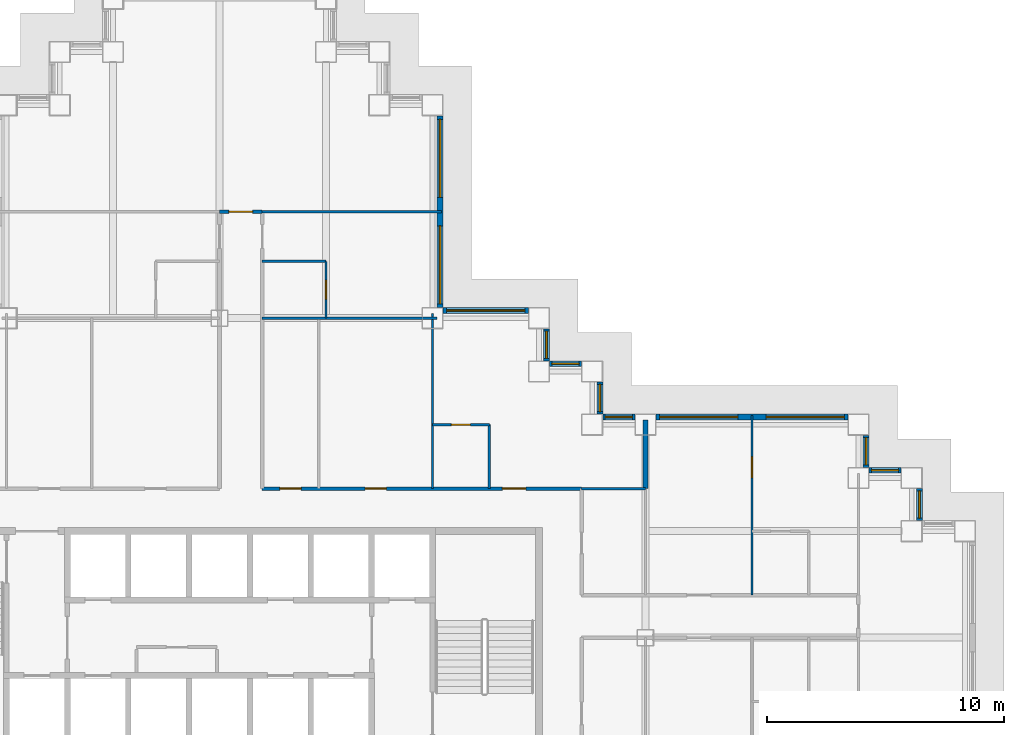
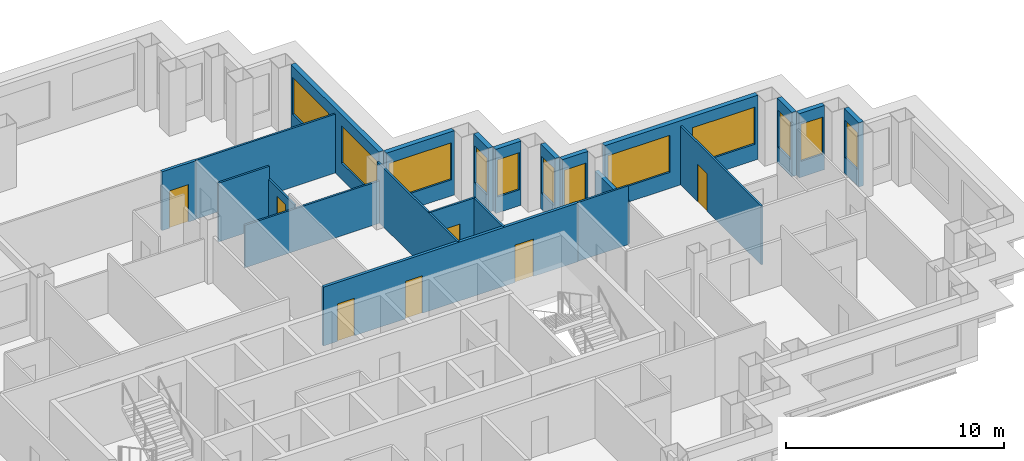
# One storey, part 9 of 15: 22 walls, 12 windows, 7 doors, 19 openings.
"""IFC4 building model written with IfcOpenShell, lengths in metres."""

from ifc_helpers import new_model, si_unit, direction, frame, frame_2d, origin, place, context, subcontext, project, spatial, rectangle, extrude, material, layer, layer_set, type_object, element, fill, save


model = new_model("IFC4")

# Units and contexts
model_context = context("Model", 3, precision=1e-05, world=origin(), true_north=direction((0.0, 1.0)))
body_context = subcontext(model_context, "Body", "Model", "MODEL_VIEW")
ifc_project = project(units=[si_unit("LENGTHUNIT", "METRE"), si_unit("AREAUNIT", "SQUARE_METRE"), si_unit("VOLUMEUNIT", "CUBIC_METRE"), si_unit("PLANEANGLEUNIT", "RADIAN"), si_unit("MASSUNIT", "GRAM", prefix="KILO")], contexts=[model_context])

# Site, building, storey
site_placement = place(None, origin())
site = spatial("IfcSite", under=ifc_project, at=site_placement, CompositionType="ELEMENT")
building_placement = place(site_placement, origin())
building = spatial("IfcBuilding", under=site, at=building_placement, Name="Caravel Reach Hotel and Residences", CompositionType="ELEMENT")
storey_placement = place(building_placement, frame((0.0, 0.0, 108.0)))
storey = spatial("IfcBuildingStorey", under=building, at=storey_placement, Name="L26", CompositionType="ELEMENT", Elevation=108.0)

# Wall, opening, door
ifc_material_1 = material(Name="Gypsum board on steel stud", Category="steel")
ifc_layer_1 = layer(ifc_material_1, 0.10009765625)
ifc_layer_set_1 = layer_set([ifc_layer_1], Name="Bathroom pod wall 100 mm")
wall_type_1 = type_object("IfcWallType", Name="Bathroom pod wall 100 mm", PredefinedType="PARTITIONING", material=ifc_layer_set_1)
wall_1_placement = place(storey_placement, frame((40.5, 36.0, 0.0), z_axis=(0.0, 0.0, 1.0), x_axis=(1.0, 0.0, 0.0)))
wall_1 = element("IfcWall", 1, at=wall_1_placement, inside=storey, type_object=wall_type_1, Name="L26 wall w093", PredefinedType="PARTITIONING", context=body_context, shape_type="SweptSolid", body=[
    extrude(rectangle(XDim=2.39990234375, YDim=0.10009765625, at=frame_2d((1.199951171875, 0.0))), origin(), (0.0, 0.0, 1.0), 3.300048828125),
])
opening_1_placement = place(wall_1_placement, frame((0.800048828125, 0.0, 0.0)))
opening_1 = element("IfcOpeningElement", 2, at=opening_1_placement, cuts=wall_1, Name="Opening D26-048", PredefinedType="OPENING", context=body_context, shape_type="SweptSolid", body=[
    extrude(rectangle(XDim=0.800048828125, YDim=2.10009765625, at=frame_2d((0.39990234375, 1.050048828125))), frame((0.0, 0.06005859375, 0.0), z_axis=(0.0, -1.0, 0.0), x_axis=(1.0, 0.0, 0.0)), (0.0, 0.0, 1.0), 0.1201171875),
])
ifc_material_2 = material(Name="Timber and steel door leaf", Category="steel")
door_type_1 = type_object("IfcDoorType", Name="Bathroom door 800 x 2100", OperationType="SINGLE_SWING_LEFT", PredefinedType="DOOR", material=ifc_material_2)
door_1_placement = place(opening_1_placement, origin())
door_1 = element("IfcDoor", 3, at=door_1_placement, inside=storey, type_object=door_type_1, Name="door D26-048", OperationType="SINGLE_SWING_LEFT", OverallHeight=2.10009765625, OverallWidth=0.800048828125, PredefinedType="DOOR", context=body_context, shape_type="SweptSolid", body=[
    extrude(rectangle(XDim=0.800048828125, YDim=2.10009765625, at=frame_2d((0.39990234375, 1.050048828125))), frame((0.0, 0.02490234375, 0.0), z_axis=(0.0, -1.0, 0.0), x_axis=(1.0, 0.0, 0.0)), (0.0, 0.0, 1.0), 0.050048828125),
])
fill(opening_1, door_1)

# Wall
wall_2_placement = place(storey_placement, frame((33.300048828125, 42.89990234375, 0.0), z_axis=(0.0, 0.0, 1.0), x_axis=(1.0, 0.0, 0.0)))
element("IfcWall", 4, at=wall_2_placement, inside=storey, type_object=wall_type_1, Name="L26 wall w094", PredefinedType="PARTITIONING", context=body_context, shape_type="SweptSolid", body=[
    extrude(rectangle(XDim=2.699951171875, YDim=0.10009765625, at=frame_2d((1.35009765625, 0.0))), origin(), (0.0, 0.0, 1.0), 3.300048828125),
])

# Wall, opening, door
wall_3_placement = place(storey_placement, frame((36.0, 40.5, 0.0), z_axis=(0.0, 0.0, 1.0), x_axis=(0.0, 1.0, 0.0)))
wall_3 = element("IfcWall", 5, at=wall_3_placement, inside=storey, type_object=wall_type_1, Name="L26 wall w110", PredefinedType="PARTITIONING", context=body_context, shape_type="SweptSolid", body=[
    extrude(rectangle(XDim=2.39990234375, YDim=0.10009765625, at=frame_2d((1.199951171875, 0.0))), origin(), (0.0, 0.0, 1.0), 2.580078125),
])
opening_2_placement = place(wall_3_placement, frame((0.800048828125, 0.0, 0.0)))
opening_2 = element("IfcOpeningElement", 6, at=opening_2_placement, cuts=wall_3, Name="Opening D26-031", PredefinedType="OPENING", context=body_context, shape_type="SweptSolid", body=[
    extrude(rectangle(XDim=0.800048828125, YDim=2.10009765625, at=frame_2d((0.39990234375, 1.050048828125))), frame((0.0, 0.06005859375, 0.0), z_axis=(0.0, -1.0, 0.0), x_axis=(1.0, 0.0, 0.0)), (0.0, 0.0, 1.0), 0.1201171875),
])
door_2_placement = place(opening_2_placement, origin())
door_2 = element("IfcDoor", 7, at=door_2_placement, inside=storey, type_object=door_type_1, Name="door D26-031", OperationType="SINGLE_SWING_RIGHT", OverallHeight=2.10009765625, OverallWidth=0.800048828125, PredefinedType="DOOR", context=body_context, shape_type="SweptSolid", body=[
    extrude(rectangle(XDim=0.800048828125, YDim=2.10009765625, at=frame_2d((0.39990234375, 1.050048828125))), frame((0.0, 0.02490234375, 0.0), z_axis=(0.0, -1.0, 0.0), x_axis=(1.0, 0.0, 0.0)), (0.0, 0.0, 1.0), 0.050048828125),
])
fill(opening_2, door_2)

# Wall
wall_4_placement = place(storey_placement, frame((42.89990234375, 33.300048828125, 0.0), z_axis=(0.0, 0.0, 1.0), x_axis=(0.0, 1.0, 0.0)))
element("IfcWall", 8, at=wall_4_placement, inside=storey, type_object=wall_type_1, Name="L26 wall w111", PredefinedType="PARTITIONING", context=body_context, shape_type="SweptSolid", body=[
    extrude(rectangle(XDim=2.699951171875, YDim=0.10009765625, at=frame_2d((1.35009765625, 0.0))), origin(), (0.0, 0.0, 1.0), 3.300048828125),
])

# Wall, openings, doors
ifc_material_3 = material(Name="Gypsum board on steel stud, fire-rated", Category="steel")
ifc_layer_2 = layer(ifc_material_3, 0.14990234375)
ifc_layer_set_2 = layer_set([ifc_layer_2], Name="Corridor wall 150 mm EI 60")
wall_type_2 = type_object("IfcWallType", Name="Corridor wall 150 mm EI 60", PredefinedType="PARTITIONING", material=ifc_layer_set_2)
wall_5_placement = place(storey_placement, frame((33.300048828125, 33.300048828125, 0.0), z_axis=(0.0, 0.0, 1.0), x_axis=(1.0, 0.0, 0.0)))
wall_5 = element("IfcWall", 9, at=wall_5_placement, inside=storey, type_object=wall_type_2, Name="L26 wall w022", PredefinedType="PARTITIONING", context=body_context, shape_type="SweptSolid", body=[
    extrude(rectangle(XDim=13.5, YDim=0.14990234375, at=frame_2d((6.75, 0.0))), origin(), (0.0, 0.0, 1.0), 3.300048828125),
])
opening_3_placement = place(wall_5_placement, frame((10.14990234375, 0.0, 0.0)))
opening_3 = element("IfcOpeningElement", 10, at=opening_3_placement, cuts=wall_5, Name="Opening D26-047", PredefinedType="OPENING", context=body_context, shape_type="SweptSolid", body=[
    extrude(rectangle(XDim=1.0, YDim=2.10009765625, at=frame_2d((0.5, 1.050048828125))), frame((0.0, 0.0849609375, 0.0), z_axis=(0.0, -1.0, 0.0), x_axis=(1.0, 0.0, 0.0)), (0.0, 0.0, 1.0), 0.169921875),
])
opening_4_placement = place(wall_5_placement, frame((0.75, 0.0, 0.0)))
opening_4 = element("IfcOpeningElement", 11, at=opening_4_placement, cuts=wall_5, Name="Opening D26-055", PredefinedType="OPENING", context=body_context, shape_type="SweptSolid", body=[
    extrude(rectangle(XDim=0.89990234375, YDim=2.10009765625, at=frame_2d((0.449951171875, 1.050048828125))), frame((0.0, 0.0849609375, 0.0), z_axis=(0.0, -1.0, 0.0), x_axis=(1.0, 0.0, 0.0)), (0.0, 0.0, 1.0), 0.169921875),
])
opening_5_placement = place(wall_5_placement, frame((4.349853515625, 0.0, 0.0)))
opening_5 = element("IfcOpeningElement", 12, at=opening_5_placement, cuts=wall_5, Name="Opening D26-056", PredefinedType="OPENING", context=body_context, shape_type="SweptSolid", body=[
    extrude(rectangle(XDim=0.89990234375, YDim=2.10009765625, at=frame_2d((0.449951171875, 1.050048828125))), frame((0.0, 0.0849609375, 0.0), z_axis=(0.0, -1.0, 0.0), x_axis=(1.0, 0.0, 0.0)), (0.0, 0.0, 1.0), 0.169921875),
])
ifc_material_4 = material(Name="Timber and steel door leaf", Category="steel")
door_type_2 = type_object("IfcDoorType", Name="Door 900 x 2100 timber", OperationType="SINGLE_SWING_LEFT", PredefinedType="DOOR", material=ifc_material_4)
door_3_placement = place(opening_4_placement, origin())
door_3 = element("IfcDoor", 13, at=door_3_placement, inside=storey, type_object=door_type_2, Name="door D26-055", OperationType="SINGLE_SWING_RIGHT", OverallHeight=2.10009765625, OverallWidth=0.89990234375, PredefinedType="DOOR", context=body_context, shape_type="SweptSolid", body=[
    extrude(rectangle(XDim=0.89990234375, YDim=2.10009765625, at=frame_2d((0.449951171875, 1.050048828125))), frame((0.0, 0.02490234375, 0.0), z_axis=(0.0, -1.0, 0.0), x_axis=(1.0, 0.0, 0.0)), (0.0, 0.0, 1.0), 0.050048828125),
])
fill(opening_4, door_3)
door_4_placement = place(opening_5_placement, origin())
door_4 = element("IfcDoor", 14, at=door_4_placement, inside=storey, type_object=door_type_2, Name="door D26-056", OperationType="SINGLE_SWING_LEFT", OverallHeight=2.10009765625, OverallWidth=0.89990234375, PredefinedType="DOOR", context=body_context, shape_type="SweptSolid", body=[
    extrude(rectangle(XDim=0.89990234375, YDim=2.10009765625, at=frame_2d((0.449951171875, 1.050048828125))), frame((0.0, 0.02490234375, 0.0), z_axis=(0.0, -1.0, 0.0), x_axis=(1.0, 0.0, 0.0)), (0.0, 0.0, 1.0), 0.050048828125),
])
fill(opening_5, door_4)
ifc_material_5 = material(Name="Steel fire door leaf", Category="steel")
door_type_3 = type_object("IfcDoorType", Name="Guest room door 1000 x 2100 EI 30", OperationType="SINGLE_SWING_LEFT", PredefinedType="DOOR", material=ifc_material_5)
door_5_placement = place(opening_3_placement, origin())
door_5 = element("IfcDoor", 15, at=door_5_placement, inside=storey, type_object=door_type_3, Name="door D26-047", OperationType="SINGLE_SWING_RIGHT", OverallHeight=2.10009765625, OverallWidth=1.0, PredefinedType="DOOR", context=body_context, shape_type="SweptSolid", body=[
    extrude(rectangle(XDim=1.0, YDim=2.10009765625, at=frame_2d((0.5, 1.050048828125))), frame((0.0, 0.02490234375, 0.0), z_axis=(0.0, -1.0, 0.0), x_axis=(1.0, 0.0, 0.0)), (0.0, 0.0, 1.0), 0.050048828125),
])
fill(opening_3, door_5)

# Wall, opening, door
wall_6_placement = place(storey_placement, frame((31.5, 45.0, 0.0), z_axis=(0.0, 0.0, 1.0), x_axis=(1.0, 0.0, 0.0)))
wall_6 = element("IfcWall", 16, at=wall_6_placement, inside=storey, type_object=wall_type_2, Name="L26 wall w025", PredefinedType="PARTITIONING", context=body_context, shape_type="SweptSolid", body=[
    extrude(rectangle(XDim=1.800048828125, YDim=0.14990234375, at=frame_2d((0.89990234375, 0.0))), origin(), (0.0, 0.0, 1.0), 3.300048828125),
])
opening_6_placement = place(wall_6_placement, frame((0.39990234375, 0.0, 0.0)))
opening_6 = element("IfcOpeningElement", 17, at=opening_6_placement, cuts=wall_6, Name="Opening D26-042", PredefinedType="OPENING", context=body_context, shape_type="SweptSolid", body=[
    extrude(rectangle(XDim=1.0, YDim=2.10009765625, at=frame_2d((0.5, 1.050048828125))), frame((0.0, 0.0849609375, 0.0), z_axis=(0.0, -1.0, 0.0), x_axis=(1.0, 0.0, 0.0)), (0.0, 0.0, 1.0), 0.169921875),
])
door_6_placement = place(opening_6_placement, origin())
door_6 = element("IfcDoor", 18, at=door_6_placement, inside=storey, type_object=door_type_3, Name="door D26-042", OperationType="SINGLE_SWING_LEFT", OverallHeight=2.10009765625, OverallWidth=1.0, PredefinedType="DOOR", context=body_context, shape_type="SweptSolid", body=[
    extrude(rectangle(XDim=1.0, YDim=2.10009765625, at=frame_2d((0.5, 1.050048828125))), frame((0.0, 0.02490234375, 0.0), z_axis=(0.0, -1.0, 0.0), x_axis=(1.0, 0.0, 0.0)), (0.0, 0.0, 1.0), 0.050048828125),
])
fill(opening_6, door_6)

# Wall, opening, window
ifc_material_6 = material(Name="Insulated rainscreen wall, aluminium cladding", Category="aluminium")
ifc_layer_3 = layer(ifc_material_6, 0.25)
ifc_layer_set_3 = layer_set([ifc_layer_3], Name="EW1 Tower rainscreen wall")
wall_type_3 = type_object("IfcWallType", Name="EW1 Tower rainscreen wall", PredefinedType="SOLIDWALL", material=ifc_layer_set_3)
wall_7_placement = place(storey_placement, frame((61.074951171875, 31.949951171875, 0.0), z_axis=(0.0, 0.0, 1.0), x_axis=(0.0, 1.0, 0.0)))
wall_7 = element("IfcWall", 19, at=wall_7_placement, inside=storey, type_object=wall_type_3, Name="External wall L26 E22.1", PredefinedType="SOLIDWALL", context=body_context, shape_type="SweptSolid", body=[
    extrude(rectangle(XDim=1.35009765625, YDim=0.25, at=frame_2d((0.675048828125, 0.0))), origin(), (0.0, 0.0, 1.0), 3.60009765625),
])
opening_7_placement = place(wall_7_placement, frame((0.10009765625, 0.0, 0.89990234375)))
opening_7 = element("IfcOpeningElement", 20, at=opening_7_placement, cuts=wall_7, Name="Opening WN8", PredefinedType="OPENING", context=body_context, shape_type="SweptSolid", body=[
    extrude(rectangle(XDim=1.14990234375, YDim=2.080078125, at=frame_2d((0.574951171875, 1.0400390625))), frame((0.0, 0.135009765625, 0.0), z_axis=(0.0, -1.0, 0.0), x_axis=(1.0, 0.0, 0.0)), (0.0, 0.0, 1.0), 0.27001953125),
])
ifc_material_7 = material(Name="Dark low-e glazing in black aluminium frame", Category="aluminium")
window_type_1 = type_object("IfcWindowType", Name="Hotel suite corner window 1150 x 2080", PartitioningType="SINGLE_PANEL", PredefinedType="WINDOW", material=ifc_material_7)
window_1_placement = place(opening_7_placement, origin())
window_1 = element("IfcWindow", 21, at=window_1_placement, inside=storey, type_object=window_type_1, Name="Window L26 E22.1.1", OverallHeight=2.080078125, OverallWidth=1.14990234375, PartitioningType="SINGLE_PANEL", PredefinedType="WINDOW", context=body_context, shape_type="SweptSolid", body=[
    extrude(rectangle(XDim=1.14990234375, YDim=2.080078125, at=frame_2d((0.574951171875, 1.0400390625))), frame((0.0, 0.030029296875, 0.0), z_axis=(0.0, -1.0, 0.0), x_axis=(1.0, 0.0, 0.0)), (0.0, 0.0, 1.0), 0.06005859375),
])
fill(opening_7, window_1)

wall_8_placement = place(storey_placement, frame((60.300048828125, 34.074951171875, 0.0), z_axis=(0.0, 0.0, 1.0), x_axis=(-1.0, 0.0, 0.0)))
wall_8 = element("IfcWall", 22, at=wall_8_placement, inside=storey, type_object=wall_type_3, Name="External wall L26 N23.1", PredefinedType="SOLIDWALL", context=body_context, shape_type="SweptSolid", body=[
    extrude(rectangle(XDim=1.35009765625, YDim=0.25, at=frame_2d((0.675048828125, 0.0))), origin(), (0.0, 0.0, 1.0), 3.60009765625),
])
opening_8_placement = place(wall_8_placement, frame((0.10009765625, 0.0, 0.89990234375)))
opening_8 = element("IfcOpeningElement", 23, at=opening_8_placement, cuts=wall_8, Name="Opening WN8", PredefinedType="OPENING", context=body_context, shape_type="SweptSolid", body=[
    extrude(rectangle(XDim=1.14990234375, YDim=2.080078125, at=frame_2d((0.574951171875, 1.0400390625))), frame((0.0, 0.135009765625, 0.0), z_axis=(0.0, -1.0, 0.0), x_axis=(1.0, 0.0, 0.0)), (0.0, 0.0, 1.0), 0.27001953125),
])
window_2_placement = place(opening_8_placement, origin())
window_2 = element("IfcWindow", 24, at=window_2_placement, inside=storey, type_object=window_type_1, Name="Window L26 N23.1.1", OverallHeight=2.080078125, OverallWidth=1.14990234375, PartitioningType="SINGLE_PANEL", PredefinedType="WINDOW", context=body_context, shape_type="SweptSolid", body=[
    extrude(rectangle(XDim=1.14990234375, YDim=2.080078125, at=frame_2d((0.574951171875, 1.0400390625))), frame((0.0, 0.030029296875, 0.0), z_axis=(0.0, -1.0, 0.0), x_axis=(1.0, 0.0, 0.0)), (0.0, 0.0, 1.0), 0.06005859375),
])
fill(opening_8, window_2)

wall_9_placement = place(storey_placement, frame((58.824951171875, 34.199951171875, 0.0), z_axis=(0.0, 0.0, 1.0), x_axis=(0.0, 1.0, 0.0)))
wall_9 = element("IfcWall", 25, at=wall_9_placement, inside=storey, type_object=wall_type_3, Name="External wall L26 E24.1", PredefinedType="SOLIDWALL", context=body_context, shape_type="SweptSolid", body=[
    extrude(rectangle(XDim=1.35009765625, YDim=0.25, at=frame_2d((0.675048828125, 0.0))), origin(), (0.0, 0.0, 1.0), 3.60009765625),
])
opening_9_placement = place(wall_9_placement, frame((0.10009765625, 0.0, 0.89990234375)))
opening_9 = element("IfcOpeningElement", 26, at=opening_9_placement, cuts=wall_9, Name="Opening WN8", PredefinedType="OPENING", context=body_context, shape_type="SweptSolid", body=[
    extrude(rectangle(XDim=1.14990234375, YDim=2.080078125, at=frame_2d((0.574951171875, 1.0400390625))), frame((0.0, 0.135009765625, 0.0), z_axis=(0.0, -1.0, 0.0), x_axis=(1.0, 0.0, 0.0)), (0.0, 0.0, 1.0), 0.27001953125),
])
window_3_placement = place(opening_9_placement, origin())
window_3 = element("IfcWindow", 27, at=window_3_placement, inside=storey, type_object=window_type_1, Name="Window L26 E24.1.1", OverallHeight=2.080078125, OverallWidth=1.14990234375, PartitioningType="SINGLE_PANEL", PredefinedType="WINDOW", context=body_context, shape_type="SweptSolid", body=[
    extrude(rectangle(XDim=1.14990234375, YDim=2.080078125, at=frame_2d((0.574951171875, 1.0400390625))), frame((0.0, 0.030029296875, 0.0), z_axis=(0.0, -1.0, 0.0), x_axis=(1.0, 0.0, 0.0)), (0.0, 0.0, 1.0), 0.06005859375),
])
fill(opening_9, window_3)

# Wall, openings, windows
wall_10_placement = place(storey_placement, frame((58.050048828125, 36.324951171875, 0.0), z_axis=(0.0, 0.0, 1.0), x_axis=(-1.0, 0.0, 0.0)))
wall_10 = element("IfcWall", 28, at=wall_10_placement, inside=storey, type_object=wall_type_3, Name="External wall L26 N25.1", PredefinedType="SOLIDWALL", context=body_context, shape_type="SweptSolid", body=[
    extrude(rectangle(XDim=8.10009765625, YDim=0.25, at=frame_2d((4.050048828125, 0.0))), origin(), (0.0, 0.0, 1.0), 3.60009765625),
])
opening_10_placement = place(wall_10_placement, frame((0.14990234375, 0.0, 0.89990234375)))
opening_10 = element("IfcOpeningElement", 29, at=opening_10_placement, cuts=wall_10, Name="Opening WN4", PredefinedType="OPENING", context=body_context, shape_type="SweptSolid", body=[
    extrude(rectangle(XDim=3.300048828125, YDim=2.080078125, at=frame_2d((1.64990234375, 1.0400390625))), frame((0.0, 0.135009765625, 0.0), z_axis=(0.0, -1.0, 0.0), x_axis=(1.0, 0.0, 0.0)), (0.0, 0.0, 1.0), 0.27001953125),
])
opening_11_placement = place(wall_10_placement, frame((4.64990234375, 0.0, 0.89990234375)))
opening_11 = element("IfcOpeningElement", 30, at=opening_11_placement, cuts=wall_10, Name="Opening WN4", PredefinedType="OPENING", context=body_context, shape_type="SweptSolid", body=[
    extrude(rectangle(XDim=3.300048828125, YDim=2.080078125, at=frame_2d((1.64990234375, 1.0400390625))), frame((0.0, 0.135009765625, 0.0), z_axis=(0.0, -1.0, 0.0), x_axis=(1.0, 0.0, 0.0)), (0.0, 0.0, 1.0), 0.27001953125),
])
ifc_material_8 = material(Name="Dark low-e glazing in black aluminium frame", Category="aluminium")
window_type_2 = type_object("IfcWindowType", Name="Hotel guest room window 3300 x 2080", PartitioningType="SINGLE_PANEL", PredefinedType="WINDOW", material=ifc_material_8)
window_4_placement = place(opening_10_placement, origin())
window_4 = element("IfcWindow", 31, at=window_4_placement, inside=storey, type_object=window_type_2, Name="Window L26 N25.1.1", OverallHeight=2.080078125, OverallWidth=3.300048828125, PartitioningType="SINGLE_PANEL", PredefinedType="WINDOW", context=body_context, shape_type="SweptSolid", body=[
    extrude(rectangle(XDim=3.300048828125, YDim=2.080078125, at=frame_2d((1.64990234375, 1.0400390625))), frame((0.0, 0.030029296875, 0.0), z_axis=(0.0, -1.0, 0.0), x_axis=(1.0, 0.0, 0.0)), (0.0, 0.0, 1.0), 0.06005859375),
])
fill(opening_10, window_4)
window_5_placement = place(opening_11_placement, origin())
window_5 = element("IfcWindow", 32, at=window_5_placement, inside=storey, type_object=window_type_2, Name="Window L26 N25.1.2", OverallHeight=2.080078125, OverallWidth=3.300048828125, PartitioningType="SINGLE_PANEL", PredefinedType="WINDOW", context=body_context, shape_type="SweptSolid", body=[
    extrude(rectangle(XDim=3.300048828125, YDim=2.080078125, at=frame_2d((1.64990234375, 1.0400390625))), frame((0.0, 0.030029296875, 0.0), z_axis=(0.0, -1.0, 0.0), x_axis=(1.0, 0.0, 0.0)), (0.0, 0.0, 1.0), 0.06005859375),
])
fill(opening_11, window_5)

# Wall, opening, window
wall_11_placement = place(storey_placement, frame((49.050048828125, 36.324951171875, 0.0), z_axis=(0.0, 0.0, 1.0), x_axis=(-1.0, 0.0, 0.0)))
wall_11 = element("IfcWall", 33, at=wall_11_placement, inside=storey, type_object=wall_type_3, Name="External wall L26 N25.2", PredefinedType="SOLIDWALL", context=body_context, shape_type="SweptSolid", body=[
    extrude(rectangle(XDim=1.35009765625, YDim=0.25, at=frame_2d((0.675048828125, 0.0))), origin(), (0.0, 0.0, 1.0), 3.60009765625),
])
opening_12_placement = place(wall_11_placement, frame((0.10009765625, 0.0, 0.89990234375)))
opening_12 = element("IfcOpeningElement", 34, at=opening_12_placement, cuts=wall_11, Name="Opening WN8", PredefinedType="OPENING", context=body_context, shape_type="SweptSolid", body=[
    extrude(rectangle(XDim=1.14990234375, YDim=2.080078125, at=frame_2d((0.574951171875, 1.0400390625))), frame((0.0, 0.135009765625, 0.0), z_axis=(0.0, -1.0, 0.0), x_axis=(1.0, 0.0, 0.0)), (0.0, 0.0, 1.0), 0.27001953125),
])
window_6_placement = place(opening_12_placement, origin())
window_6 = element("IfcWindow", 35, at=window_6_placement, inside=storey, type_object=window_type_1, Name="Window L26 N25.2.1", OverallHeight=2.080078125, OverallWidth=1.14990234375, PartitioningType="SINGLE_PANEL", PredefinedType="WINDOW", context=body_context, shape_type="SweptSolid", body=[
    extrude(rectangle(XDim=1.14990234375, YDim=2.080078125, at=frame_2d((0.574951171875, 1.0400390625))), frame((0.0, 0.030029296875, 0.0), z_axis=(0.0, -1.0, 0.0), x_axis=(1.0, 0.0, 0.0)), (0.0, 0.0, 1.0), 0.06005859375),
])
fill(opening_12, window_6)

wall_12_placement = place(storey_placement, frame((47.574951171875, 36.449951171875, 0.0), z_axis=(0.0, 0.0, 1.0), x_axis=(0.0, 1.0, 0.0)))
wall_12 = element("IfcWall", 36, at=wall_12_placement, inside=storey, type_object=wall_type_3, Name="External wall L26 E26.1", PredefinedType="SOLIDWALL", context=body_context, shape_type="SweptSolid", body=[
    extrude(rectangle(XDim=1.35009765625, YDim=0.25, at=frame_2d((0.675048828125, 0.0))), origin(), (0.0, 0.0, 1.0), 3.60009765625),
])
opening_13_placement = place(wall_12_placement, frame((0.10009765625, 0.0, 0.89990234375)))
opening_13 = element("IfcOpeningElement", 37, at=opening_13_placement, cuts=wall_12, Name="Opening WN8", PredefinedType="OPENING", context=body_context, shape_type="SweptSolid", body=[
    extrude(rectangle(XDim=1.14990234375, YDim=2.080078125, at=frame_2d((0.574951171875, 1.0400390625))), frame((0.0, 0.135009765625, 0.0), z_axis=(0.0, -1.0, 0.0), x_axis=(1.0, 0.0, 0.0)), (0.0, 0.0, 1.0), 0.27001953125),
])
window_7_placement = place(opening_13_placement, origin())
window_7 = element("IfcWindow", 38, at=window_7_placement, inside=storey, type_object=window_type_1, Name="Window L26 E26.1.1", OverallHeight=2.080078125, OverallWidth=1.14990234375, PartitioningType="SINGLE_PANEL", PredefinedType="WINDOW", context=body_context, shape_type="SweptSolid", body=[
    extrude(rectangle(XDim=1.14990234375, YDim=2.080078125, at=frame_2d((0.574951171875, 1.0400390625))), frame((0.0, 0.030029296875, 0.0), z_axis=(0.0, -1.0, 0.0), x_axis=(1.0, 0.0, 0.0)), (0.0, 0.0, 1.0), 0.06005859375),
])
fill(opening_13, window_7)

wall_13_placement = place(storey_placement, frame((46.800048828125, 38.574951171875, 0.0), z_axis=(0.0, 0.0, 1.0), x_axis=(-1.0, 0.0, 0.0)))
wall_13 = element("IfcWall", 39, at=wall_13_placement, inside=storey, type_object=wall_type_3, Name="External wall L26 N27.1", PredefinedType="SOLIDWALL", context=body_context, shape_type="SweptSolid", body=[
    extrude(rectangle(XDim=1.35009765625, YDim=0.25, at=frame_2d((0.675048828125, 0.0))), origin(), (0.0, 0.0, 1.0), 3.60009765625),
])
opening_14_placement = place(wall_13_placement, frame((0.10009765625, 0.0, 0.89990234375)))
opening_14 = element("IfcOpeningElement", 40, at=opening_14_placement, cuts=wall_13, Name="Opening WN8", PredefinedType="OPENING", context=body_context, shape_type="SweptSolid", body=[
    extrude(rectangle(XDim=1.14990234375, YDim=2.080078125, at=frame_2d((0.574951171875, 1.0400390625))), frame((0.0, 0.135009765625, 0.0), z_axis=(0.0, -1.0, 0.0), x_axis=(1.0, 0.0, 0.0)), (0.0, 0.0, 1.0), 0.27001953125),
])
window_8_placement = place(opening_14_placement, origin())
window_8 = element("IfcWindow", 41, at=window_8_placement, inside=storey, type_object=window_type_1, Name="Window L26 N27.1.1", OverallHeight=2.080078125, OverallWidth=1.14990234375, PartitioningType="SINGLE_PANEL", PredefinedType="WINDOW", context=body_context, shape_type="SweptSolid", body=[
    extrude(rectangle(XDim=1.14990234375, YDim=2.080078125, at=frame_2d((0.574951171875, 1.0400390625))), frame((0.0, 0.030029296875, 0.0), z_axis=(0.0, -1.0, 0.0), x_axis=(1.0, 0.0, 0.0)), (0.0, 0.0, 1.0), 0.06005859375),
])
fill(opening_14, window_8)

wall_14_placement = place(storey_placement, frame((45.324951171875, 38.699951171875, 0.0), z_axis=(0.0, 0.0, 1.0), x_axis=(0.0, 1.0, 0.0)))
wall_14 = element("IfcWall", 42, at=wall_14_placement, inside=storey, type_object=wall_type_3, Name="External wall L26 E28.1", PredefinedType="SOLIDWALL", context=body_context, shape_type="SweptSolid", body=[
    extrude(rectangle(XDim=1.35009765625, YDim=0.25, at=frame_2d((0.675048828125, 0.0))), origin(), (0.0, 0.0, 1.0), 3.60009765625),
])
opening_15_placement = place(wall_14_placement, frame((0.10009765625, 0.0, 0.89990234375)))
opening_15 = element("IfcOpeningElement", 43, at=opening_15_placement, cuts=wall_14, Name="Opening WN8", PredefinedType="OPENING", context=body_context, shape_type="SweptSolid", body=[
    extrude(rectangle(XDim=1.14990234375, YDim=2.080078125, at=frame_2d((0.574951171875, 1.0400390625))), frame((0.0, 0.135009765625, 0.0), z_axis=(0.0, -1.0, 0.0), x_axis=(1.0, 0.0, 0.0)), (0.0, 0.0, 1.0), 0.27001953125),
])
window_9_placement = place(opening_15_placement, origin())
window_9 = element("IfcWindow", 44, at=window_9_placement, inside=storey, type_object=window_type_1, Name="Window L26 E28.1.1", OverallHeight=2.080078125, OverallWidth=1.14990234375, PartitioningType="SINGLE_PANEL", PredefinedType="WINDOW", context=body_context, shape_type="SweptSolid", body=[
    extrude(rectangle(XDim=1.14990234375, YDim=2.080078125, at=frame_2d((0.574951171875, 1.0400390625))), frame((0.0, 0.030029296875, 0.0), z_axis=(0.0, -1.0, 0.0), x_axis=(1.0, 0.0, 0.0)), (0.0, 0.0, 1.0), 0.06005859375),
])
fill(opening_15, window_9)

wall_15_placement = place(storey_placement, frame((44.550048828125, 40.824951171875, 0.0), z_axis=(0.0, 0.0, 1.0), x_axis=(-1.0, 0.0, 0.0)))
wall_15 = element("IfcWall", 45, at=wall_15_placement, inside=storey, type_object=wall_type_3, Name="External wall L26 N29.1", PredefinedType="SOLIDWALL", context=body_context, shape_type="SweptSolid", body=[
    extrude(rectangle(XDim=3.60009765625, YDim=0.25, at=frame_2d((1.800048828125, 0.0))), origin(), (0.0, 0.0, 1.0), 3.60009765625),
])
opening_16_placement = place(wall_15_placement, frame((0.14990234375, 0.0, 0.89990234375)))
opening_16 = element("IfcOpeningElement", 46, at=opening_16_placement, cuts=wall_15, Name="Opening WN4", PredefinedType="OPENING", context=body_context, shape_type="SweptSolid", body=[
    extrude(rectangle(XDim=3.300048828125, YDim=2.080078125, at=frame_2d((1.64990234375, 1.0400390625))), frame((0.0, 0.135009765625, 0.0), z_axis=(0.0, -1.0, 0.0), x_axis=(1.0, 0.0, 0.0)), (0.0, 0.0, 1.0), 0.27001953125),
])
window_10_placement = place(opening_16_placement, origin())
window_10 = element("IfcWindow", 47, at=window_10_placement, inside=storey, type_object=window_type_2, Name="Window L26 N29.1.1", OverallHeight=2.080078125, OverallWidth=3.300048828125, PartitioningType="SINGLE_PANEL", PredefinedType="WINDOW", context=body_context, shape_type="SweptSolid", body=[
    extrude(rectangle(XDim=3.300048828125, YDim=2.080078125, at=frame_2d((1.64990234375, 1.0400390625))), frame((0.0, 0.030029296875, 0.0), z_axis=(0.0, -1.0, 0.0), x_axis=(1.0, 0.0, 0.0)), (0.0, 0.0, 1.0), 0.06005859375),
])
fill(opening_16, window_10)

# Wall, openings, windows
wall_16_placement = place(storey_placement, frame((40.824951171875, 40.949951171875, 0.0), z_axis=(0.0, 0.0, 1.0), x_axis=(0.0, 1.0, 0.0)))
wall_16 = element("IfcWall", 48, at=wall_16_placement, inside=storey, type_object=wall_type_3, Name="External wall L26 E30.1", PredefinedType="SOLIDWALL", context=body_context, shape_type="SweptSolid", body=[
    extrude(rectangle(XDim=8.10009765625, YDim=0.25, at=frame_2d((4.050048828125, 0.0))), origin(), (0.0, 0.0, 1.0), 3.60009765625),
])
opening_17_placement = place(wall_16_placement, frame((0.14990234375, 0.0, 0.89990234375)))
opening_17 = element("IfcOpeningElement", 49, at=opening_17_placement, cuts=wall_16, Name="Opening WN4", PredefinedType="OPENING", context=body_context, shape_type="SweptSolid", body=[
    extrude(rectangle(XDim=3.300048828125, YDim=2.080078125, at=frame_2d((1.64990234375, 1.0400390625))), frame((0.0, 0.135009765625, 0.0), z_axis=(0.0, -1.0, 0.0), x_axis=(1.0, 0.0, 0.0)), (0.0, 0.0, 1.0), 0.27001953125),
])
opening_18_placement = place(wall_16_placement, frame((4.64990234375, 0.0, 0.89990234375)))
opening_18 = element("IfcOpeningElement", 50, at=opening_18_placement, cuts=wall_16, Name="Opening WN4", PredefinedType="OPENING", context=body_context, shape_type="SweptSolid", body=[
    extrude(rectangle(XDim=3.300048828125, YDim=2.080078125, at=frame_2d((1.64990234375, 1.0400390625))), frame((0.0, 0.135009765625, 0.0), z_axis=(0.0, -1.0, 0.0), x_axis=(1.0, 0.0, 0.0)), (0.0, 0.0, 1.0), 0.27001953125),
])
window_11_placement = place(opening_17_placement, origin())
window_11 = element("IfcWindow", 51, at=window_11_placement, inside=storey, type_object=window_type_2, Name="Window L26 E30.1.1", OverallHeight=2.080078125, OverallWidth=3.300048828125, PartitioningType="SINGLE_PANEL", PredefinedType="WINDOW", context=body_context, shape_type="SweptSolid", body=[
    extrude(rectangle(XDim=3.300048828125, YDim=2.080078125, at=frame_2d((1.64990234375, 1.0400390625))), frame((0.0, 0.030029296875, 0.0), z_axis=(0.0, -1.0, 0.0), x_axis=(1.0, 0.0, 0.0)), (0.0, 0.0, 1.0), 0.06005859375),
])
fill(opening_17, window_11)
window_12_placement = place(opening_18_placement, origin())
window_12 = element("IfcWindow", 52, at=window_12_placement, inside=storey, type_object=window_type_2, Name="Window L26 E30.1.2", OverallHeight=2.080078125, OverallWidth=3.300048828125, PartitioningType="SINGLE_PANEL", PredefinedType="WINDOW", context=body_context, shape_type="SweptSolid", body=[
    extrude(rectangle(XDim=3.300048828125, YDim=2.080078125, at=frame_2d((1.64990234375, 1.0400390625))), frame((0.0, 0.030029296875, 0.0), z_axis=(0.0, -1.0, 0.0), x_axis=(1.0, 0.0, 0.0)), (0.0, 0.0, 1.0), 0.06005859375),
])
fill(opening_18, window_12)

# Walls
ifc_material_9 = material(Name="Gypsum board on steel stud", Category="steel")
ifc_layer_4 = layer(ifc_material_9, 0.10009765625)
ifc_layer_set_4 = layer_set([ifc_layer_4], Name="Partition 100 mm")
wall_type_4 = type_object("IfcWallType", Name="Partition 100 mm", PredefinedType="PARTITIONING", material=ifc_layer_set_4)
wall_17_placement = place(storey_placement, frame((46.800048828125, 33.300048828125, 0.0), z_axis=(0.0, 0.0, 1.0), x_axis=(1.0, 0.0, 0.0)))
element("IfcWall", 53, at=wall_17_placement, inside=storey, type_object=wall_type_4, Name="L26 wall w048", PredefinedType="PARTITIONING", context=body_context, shape_type="SweptSolid", body=[
    extrude(rectangle(XDim=2.699951171875, YDim=0.10009765625, at=frame_2d((1.35009765625, 0.0))), origin(), (0.0, 0.0, 1.0), 3.300048828125),
])
wall_18_placement = place(storey_placement, frame((33.300048828125, 40.5, 0.0), z_axis=(0.0, 0.0, 1.0), x_axis=(1.0, 0.0, 0.0)))
element("IfcWall", 54, at=wall_18_placement, inside=storey, type_object=wall_type_4, Name="L26 wall w049", PredefinedType="PARTITIONING", context=body_context, shape_type="SweptSolid", body=[
    extrude(rectangle(XDim=7.389892578125, YDim=0.10009765625, at=frame_2d((3.69482421875, 0.0))), origin(), (0.0, 0.0, 1.0), 2.3798828125),
])
wall_19_placement = place(storey_placement, frame((33.300048828125, 45.0, 0.0), z_axis=(0.0, 0.0, 1.0), x_axis=(1.0, 0.0, 0.0)))
element("IfcWall", 55, at=wall_19_placement, inside=storey, type_object=wall_type_4, Name="L26 wall w053", PredefinedType="PARTITIONING", context=body_context, shape_type="SweptSolid", body=[
    extrude(rectangle(XDim=7.58984375, YDim=0.10009765625, at=frame_2d((3.794921875, 0.0))), origin(), (0.0, 0.0, 1.0), 3.300048828125),
])
wall_20_placement = place(storey_placement, frame((40.5, 33.300048828125, 0.0), z_axis=(0.0, 0.0, 1.0), x_axis=(0.0, 1.0, 0.0)))
element("IfcWall", 56, at=wall_20_placement, inside=storey, type_object=wall_type_4, Name="L26 wall w063", PredefinedType="PARTITIONING", context=body_context, shape_type="SweptSolid", body=[
    extrude(rectangle(XDim=7.389892578125, YDim=0.10009765625, at=frame_2d((3.69482421875, 0.0))), origin(), (0.0, 0.0, 1.0), 3.300048828125),
])

# Wall, opening, door
wall_21_placement = place(storey_placement, frame((54.0, 28.800048828125, 0.0), z_axis=(0.0, 0.0, 1.0), x_axis=(0.0, 1.0, 0.0)))
wall_21 = element("IfcWall", 57, at=wall_21_placement, inside=storey, type_object=wall_type_4, Name="L26 wall w066", PredefinedType="PARTITIONING", context=body_context, shape_type="SweptSolid", body=[
    extrude(rectangle(XDim=7.58984375, YDim=0.10009765625, at=frame_2d((3.794921875, 0.0))), origin(), (0.0, 0.0, 1.0), 3.300048828125),
])
opening_19_placement = place(wall_21_placement, frame((4.949951171875, 0.0, 0.0)))
opening_19 = element("IfcOpeningElement", 58, at=opening_19_placement, cuts=wall_21, Name="Opening D26-026", PredefinedType="OPENING", context=body_context, shape_type="SweptSolid", body=[
    extrude(rectangle(XDim=0.89990234375, YDim=2.10009765625, at=frame_2d((0.449951171875, 1.050048828125))), frame((0.0, 0.06005859375, 0.0), z_axis=(0.0, -1.0, 0.0), x_axis=(1.0, 0.0, 0.0)), (0.0, 0.0, 1.0), 0.1201171875),
])
door_7_placement = place(opening_19_placement, origin())
door_7 = element("IfcDoor", 59, at=door_7_placement, inside=storey, type_object=door_type_2, Name="door D26-026", OperationType="SINGLE_SWING_RIGHT", OverallHeight=2.10009765625, OverallWidth=0.89990234375, PredefinedType="DOOR", context=body_context, shape_type="SweptSolid", body=[
    extrude(rectangle(XDim=0.89990234375, YDim=2.10009765625, at=frame_2d((0.449951171875, 1.050048828125))), frame((0.0, 0.02490234375, 0.0), z_axis=(0.0, -1.0, 0.0), x_axis=(1.0, 0.0, 0.0)), (0.0, 0.0, 1.0), 0.050048828125),
])
fill(opening_19, door_7)

# Wall
ifc_material_10 = material(Name="Autoclaved aerated block wall")
ifc_layer_5 = layer(ifc_material_10, 0.199951171875)
ifc_layer_set_5 = layer_set([ifc_layer_5], Name="Party wall 200 mm EI 60")
wall_type_5 = type_object("IfcWallType", Name="Party wall 200 mm EI 60", PredefinedType="PARTITIONING", material=ifc_layer_set_5)
wall_22_placement = place(storey_placement, frame((49.5, 33.300048828125, 0.0), z_axis=(0.0, 0.0, 1.0), x_axis=(0.0, 1.0, 0.0)))
element("IfcWall", 60, at=wall_22_placement, inside=storey, type_object=wall_type_5, Name="L26 wall w078", PredefinedType="PARTITIONING", context=body_context, shape_type="SweptSolid", body=[
    extrude(rectangle(XDim=2.889892578125, YDim=0.199951171875, at=frame_2d((1.44482421875, 0.0))), origin(), (0.0, 0.0, 1.0), 2.3798828125),
])

save(model, "model.ifc")
